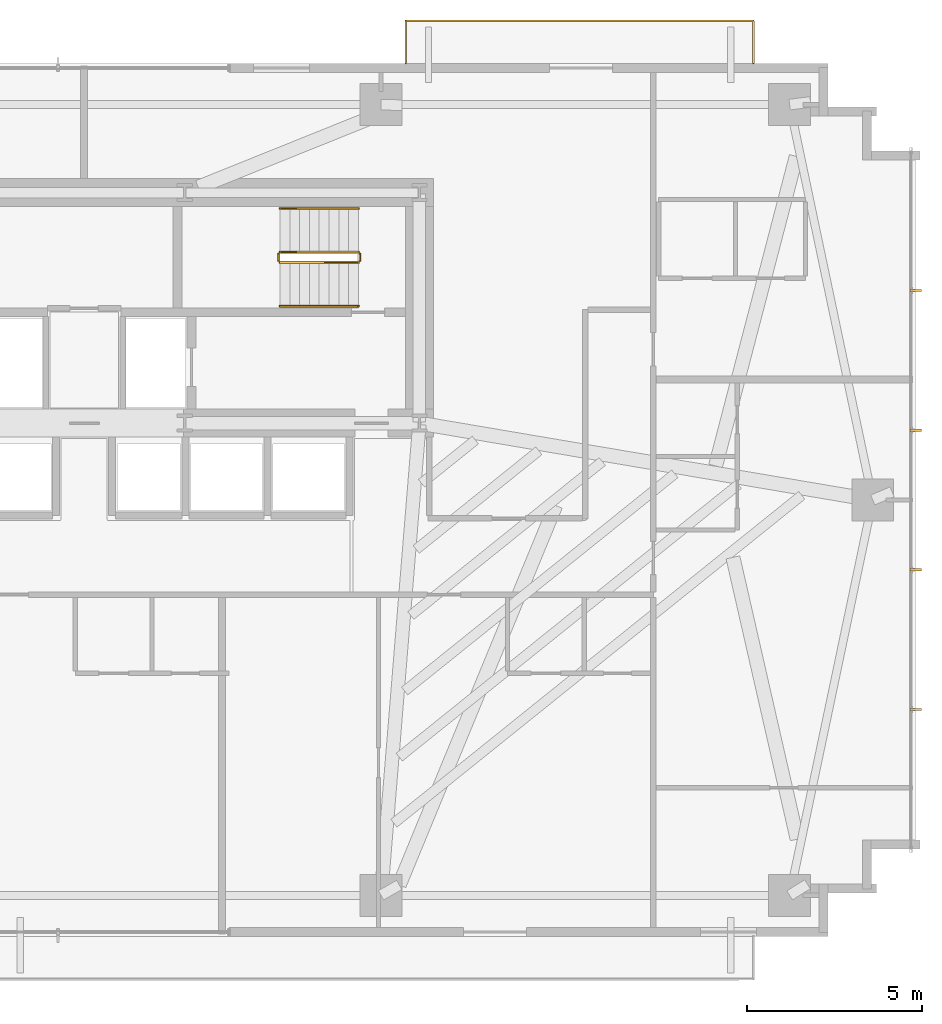
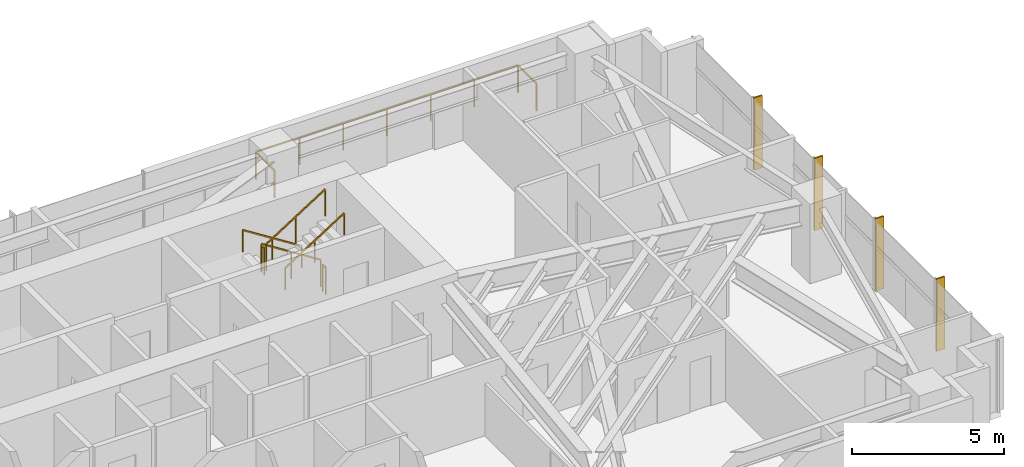
# One storey, part 25 of 25: 7 railings, 4 shading devices.
"""IFC4 building model written with IfcOpenShell, lengths in metres."""

from ifc_helpers import new_model, si_unit, direction, frame, origin, origin_2d, place, context, subcontext, project, spatial, rectangle, extrude, source, transform, mapped, material, type_object, type_shapes, element, save


model = new_model("IFC4")

# Units and contexts
model_context = context("Model", 3, precision=1e-05, world=origin(), true_north=direction((0.0, 1.0)))
body_context = subcontext(model_context, "Body", "Model", "MODEL_VIEW")
ifc_project = project(units=[si_unit("LENGTHUNIT", "METRE"), si_unit("AREAUNIT", "SQUARE_METRE"), si_unit("VOLUMEUNIT", "CUBIC_METRE"), si_unit("PLANEANGLEUNIT", "RADIAN"), si_unit("MASSUNIT", "GRAM", prefix="KILO")], contexts=[model_context])

# Site, building, storey
site_placement = place(None, origin())
site = spatial("IfcSite", under=ifc_project, at=site_placement, CompositionType="ELEMENT")
building_placement = place(site_placement, origin())
building = spatial("IfcBuilding", under=site, at=building_placement, Name="Astriad Promenade Condominiums", CompositionType="ELEMENT")
storey_placement = place(building_placement, frame((0.0, 0.0, 64.60009765625)))
storey = spatial("IfcBuildingStorey", under=building, at=storey_placement, Name="L18", CompositionType="ELEMENT", Elevation=64.60009765625)

# Railing
ifc_material_1 = material(Name="Laminated Glass and Stainless Steel Balustrade", Category="steel")
railing_type_1 = type_object("IfcRailingType", Name="GRD-BALC-1120", PredefinedType="BALUSTRADE", material=ifc_material_1)
shared_shape_1 = source(origin(), body_context, "Body", "SweptSolid", [
    extrude(rectangle(XDim=0.048095703125, YDim=0.048095703125, at=origin_2d()), frame((0.0, 0.0, 1.09619140625), z_axis=(0.0, 1.0, 0.0), x_axis=(-1.0, 0.0, 0.0)), (0.0, 0.0, 1.0), 1.219970703125),
    extrude(rectangle(XDim=0.048095703125, YDim=0.048095703125, at=origin_2d()), frame((0.0, 1.219970703125, 1.09619140625), z_axis=(-1.0, 0.0, 0.0), x_axis=(0.0, -1.0, 0.0)), (0.0, 0.0, 1.0), 9.9541015625),
    extrude(rectangle(XDim=0.048095703125, YDim=0.048095703125, at=origin_2d()), frame((-9.9541015625, 1.219970703125, 1.09619140625), z_axis=(0.0, -1.0, 0.0), x_axis=(1.0, 0.0, 0.0)), (0.0, 0.0, 1.0), 1.219970703125),
    extrude(rectangle(XDim=0.0419921875, YDim=0.0419921875, at=origin_2d()), origin(), (0.0, 0.0, 1.0), 1.072021484375),
    extrude(rectangle(XDim=0.0419921875, YDim=0.0419921875, at=origin_2d()), frame((0.0, 1.219970703125, 0.0)), (0.0, 0.0, 1.0), 1.072021484375),
    extrude(rectangle(XDim=0.0419921875, YDim=0.0419921875, at=origin_2d()), frame((-1.658935546875, 1.219970703125, 0.0)), (0.0, 0.0, 1.0), 1.072021484375),
    extrude(rectangle(XDim=0.0419921875, YDim=0.0419921875, at=origin_2d()), frame((-3.318115234375, 1.219970703125, 0.0)), (0.0, 0.0, 1.0), 1.072021484375),
    extrude(rectangle(XDim=0.0419921875, YDim=0.0419921875, at=origin_2d()), frame((-4.97705078125, 1.219970703125, 0.0)), (0.0, 0.0, 1.0), 1.072021484375),
    extrude(rectangle(XDim=0.0419921875, YDim=0.0419921875, at=origin_2d()), frame((-6.635986328125, 1.219970703125, 0.0)), (0.0, 0.0, 1.0), 1.072021484375),
    extrude(rectangle(XDim=0.0419921875, YDim=0.0419921875, at=origin_2d()), frame((-8.295166015625, 1.219970703125, 0.0)), (0.0, 0.0, 1.0), 1.072021484375),
    extrude(rectangle(XDim=0.0419921875, YDim=0.0419921875, at=origin_2d()), frame((-9.9541015625, 1.219970703125, 0.0)), (0.0, 0.0, 1.0), 1.072021484375),
    extrude(rectangle(XDim=0.0419921875, YDim=0.0419921875, at=origin_2d()), frame((-9.9541015625, 0.0, 0.0)), (0.0, 0.0, 1.0), 1.072021484375),
])
type_shapes(railing_type_1, [shared_shape_1])
railing_1_placement = place(storey_placement, frame((55.1640625, 27.699951171875, 0.0)))
element("IfcRailing", 1, at=railing_1_placement, inside=storey, type_object=railing_type_1, Name="GRD-BALC-L18-NE", PredefinedType="BALUSTRADE", context=body_context, shape_type="MappedRepresentation", body=[
    mapped(shared_shape_1, transform((0.0, 0.0, 0.0), scale=1.0)),
])

# Shading devices
ifc_material_2 = material(Name="Anodised aluminium 6063-T6 Black Fin", Category="aluminium")
shading_device_type = type_object("IfcShadingDeviceType", Name="FIN-BLACK-320", PredefinedType="USERDEFINED", material=ifc_material_2)
shared_shape_2 = source(origin(), body_context, "Body", "SweptSolid", [
    extrude(rectangle(XDim=0.06494140625, YDim=0.320068359375, at=origin_2d()), origin(), (0.0, 0.0, 1.0), 2.89990234375),
])
type_shapes(shading_device_type, [shared_shape_2])
for number, where, z_axis, x_axis, name in (
    (2, (59.81005859375, 21.199951171875, 0.0), (0.0, 0.0, 1.0), (0.0, -1.0, 0.0), "CW-L18-E-FIN-01"),
    (3, (59.81005859375, 17.199951171875, 0.0), (0.0, 0.0, 1.0), (0.0, -1.0, 0.0), "CW-L18-E-FIN-02"),
    (4, (59.81005859375, 13.199951171875, 0.0), (0.0, 0.0, 1.0), (0.0, -1.0, 0.0), "CW-L18-E-FIN-03"),
    (5, (59.81005859375, 9.199951171875, 0.0), (0.0, 0.0, 1.0), (0.0, -1.0, 0.0), "CW-L18-E-FIN-04"),
):
    element("IfcShadingDevice", number, at=place(storey_placement, frame(where, z_axis=z_axis, x_axis=x_axis)), inside=storey, type_object=shading_device_type, Name=name, ObjectType="FIN", PredefinedType="USERDEFINED", context=body_context, shape_type="MappedRepresentation", body=[
        mapped(shared_shape_2, transform((0.0, 0.0, 0.0), scale=1.0)),
    ])

# Railings
ifc_material_3 = material(Name="Painted Galvanised Steel Guardrail", Category="steel")
railing_type_2 = type_object("IfcRailingType", Name="GRD-STAIR-1100", PredefinedType="GUARDRAIL", material=ifc_material_3)
shared_shape_3 = source(origin(), body_context, "Body", "SweptSolid", [
    extrude(rectangle(XDim=0.048095703125, YDim=0.048095703125, at=origin_2d()), frame((0.0, 0.0, 1.076171875), z_axis=(0.84418770128, 0.0, 0.536047689118), x_axis=(0.0, 1.0, 0.0)), (0.0, 0.0, 1.0), 2.6533203125),
    extrude(rectangle(XDim=0.0419921875, YDim=0.0419921875, at=origin_2d()), origin(), (0.0, 0.0, 1.0), 1.052001953125),
    extrude(rectangle(XDim=0.0419921875, YDim=0.0419921875, at=origin_2d()), frame((1.1201171875, 0.0, 0.711181640625)), (0.0, 0.0, 1.0), 1.052001953125),
    extrude(rectangle(XDim=0.0419921875, YDim=0.0419921875, at=origin_2d()), frame((2.239990234375, 0.0, 1.42236328125)), (0.0, 0.0, 1.0), 1.052001953125),
])
railing_2_placement = place(storey_placement, frame((41.610107421875, 22.0, 1.777587890625)))
element("IfcRailing", 6, at=railing_2_placement, inside=storey, type_object=railing_type_2, Name="L18 ST-2 stair guard 3", PredefinedType="GUARDRAIL", context=body_context, shape_type="MappedRepresentation", body=[
    mapped(shared_shape_3, transform((0.0, 0.0, 0.0), scale=1.0)),
])
shared_shape_4 = source(origin(), body_context, "Body", "SweptSolid", [
    extrude(rectangle(XDim=0.048095703125, YDim=0.048095703125, at=origin_2d()), frame((0.0, 0.0, 1.076171875), z_axis=(-0.8442293374, 0.0, 0.53598211339), x_axis=(0.0, -1.0, 0.0)), (0.0, 0.0, 1.0), 2.6533203125),
    extrude(rectangle(XDim=0.0419921875, YDim=0.0419921875, at=origin_2d()), origin(), (0.0, 0.0, 1.0), 1.052001953125),
    extrude(rectangle(XDim=0.0419921875, YDim=0.0419921875, at=origin_2d()), frame((-1.1201171875, 0.0, 0.7109375)), (0.0, 0.0, 1.0), 1.052001953125),
    extrude(rectangle(XDim=0.0419921875, YDim=0.0419921875, at=origin_2d()), frame((-2.239990234375, 0.0, 1.422119140625)), (0.0, 0.0, 1.0), 1.052001953125),
])
railing_3_placement = place(storey_placement, frame((43.85009765625, 22.300048828125, 0.177734375)))
element("IfcRailing", 7, at=railing_3_placement, inside=storey, type_object=railing_type_2, Name="L18 ST-2 stair guard 1", PredefinedType="GUARDRAIL", context=body_context, shape_type="MappedRepresentation", body=[
    mapped(shared_shape_4, transform((0.0, 0.0, 0.0), scale=1.0)),
])
ifc_material_4 = material(Name="Brushed Stainless Steel Handrail", Category="steel")
railing_type_3 = type_object("IfcRailingType", Name="HRL-STAIR-920", PredefinedType="HANDRAIL", material=ifc_material_4)
shared_shape_5 = source(origin(), body_context, "Body", "SweptSolid", [
    extrude(rectangle(XDim=0.048095703125, YDim=0.048095703125, at=origin_2d()), frame((0.0, 0.0, 0.8759765625), z_axis=(0.84418770128, 0.0, 0.536047689118), x_axis=(0.0, 1.0, 0.0)), (0.0, 0.0, 1.0), 2.6533203125),
    extrude(rectangle(XDim=0.0419921875, YDim=0.0419921875, at=origin_2d()), origin(), (0.0, 0.0, 1.0), 0.851806640625),
    extrude(rectangle(XDim=0.0419921875, YDim=0.0419921875, at=origin_2d()), frame((1.1201171875, 0.0, 0.711181640625)), (0.0, 0.0, 1.0), 0.851806640625),
    extrude(rectangle(XDim=0.0419921875, YDim=0.0419921875, at=origin_2d()), frame((2.239990234375, 0.0, 1.42236328125)), (0.0, 0.0, 1.0), 0.851806640625),
])
railing_4_placement = place(storey_placement, frame((41.610107421875, 20.75, 1.777587890625)))
element("IfcRailing", 8, at=railing_4_placement, inside=storey, type_object=railing_type_3, Name="L18 ST-2 stair handrail 2", PredefinedType="HANDRAIL", context=body_context, shape_type="MappedRepresentation", body=[
    mapped(shared_shape_5, transform((0.0, 0.0, 0.0), scale=1.0)),
])
shared_shape_6 = source(origin(), body_context, "Body", "SweptSolid", [
    extrude(rectangle(XDim=0.048095703125, YDim=0.048095703125, at=origin_2d()), frame((0.0, 0.0, 0.8759765625), z_axis=(-0.8442293374, 0.0, 0.53598211339), x_axis=(0.0, -1.0, 0.0)), (0.0, 0.0, 1.0), 2.6533203125),
    extrude(rectangle(XDim=0.0419921875, YDim=0.0419921875, at=origin_2d()), origin(), (0.0, 0.0, 1.0), 0.851806640625),
    extrude(rectangle(XDim=0.0419921875, YDim=0.0419921875, at=origin_2d()), frame((-1.1201171875, 0.0, 0.7109375)), (0.0, 0.0, 1.0), 0.851806640625),
    extrude(rectangle(XDim=0.0419921875, YDim=0.0419921875, at=origin_2d()), frame((-2.239990234375, 0.0, 1.422119140625)), (0.0, 0.0, 1.0), 0.851806640625),
])
type_shapes(railing_type_3, [shared_shape_5, shared_shape_6])
railing_5_placement = place(storey_placement, frame((43.85009765625, 23.550048828125, 0.177734375)))
element("IfcRailing", 9, at=railing_5_placement, inside=storey, type_object=railing_type_3, Name="L18 ST-2 stair handrail 1", PredefinedType="HANDRAIL", context=body_context, shape_type="MappedRepresentation", body=[
    mapped(shared_shape_6, transform((0.0, 0.0, 0.0), scale=1.0)),
])
shared_shape_7 = source(origin(), body_context, "Body", "SweptSolid", [
    extrude(rectangle(XDim=0.048095703125, YDim=0.048095703125, at=origin_2d()), frame((0.0, 0.0, 1.076171875), z_axis=(0.0, -1.0, 0.0), x_axis=(1.0, 0.0, 0.0)), (0.0, 0.0, 1.0), 0.199951171875),
    extrude(rectangle(XDim=0.0419921875, YDim=0.0419921875, at=origin_2d()), origin(), (0.0, 0.0, 1.0), 1.052001953125),
    extrude(rectangle(XDim=0.0419921875, YDim=0.0419921875, at=origin_2d()), frame((0.0, -0.199951171875, 0.0)), (0.0, 0.0, 1.0), 1.052001953125),
])
type_shapes(railing_type_2, [shared_shape_3, shared_shape_4, shared_shape_7])
for number, where, name in (
    (10, (41.56005859375, 22.25, 1.599853515625), "L18 ST-2 stair guard 2"),
    (11, (43.89990234375, 22.25, 0.0), "L18 ST-2 stair guard 4"),
):
    element("IfcRailing", number, at=place(storey_placement, frame(where)), inside=storey, type_object=railing_type_2, Name=name, PredefinedType="GUARDRAIL", context=body_context, shape_type="MappedRepresentation", body=[
        mapped(shared_shape_7, transform((0.0, 0.0, 0.0), scale=1.0)),
    ])

save(model, "model.ifc")
